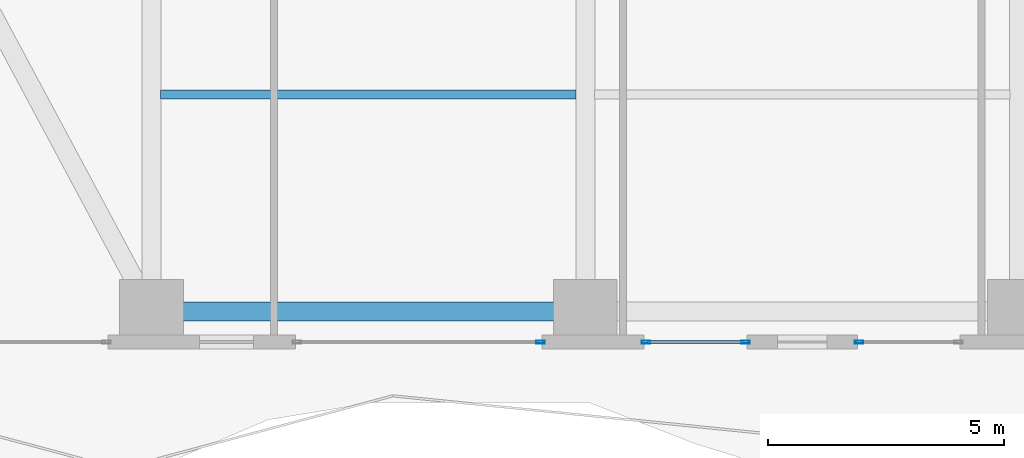
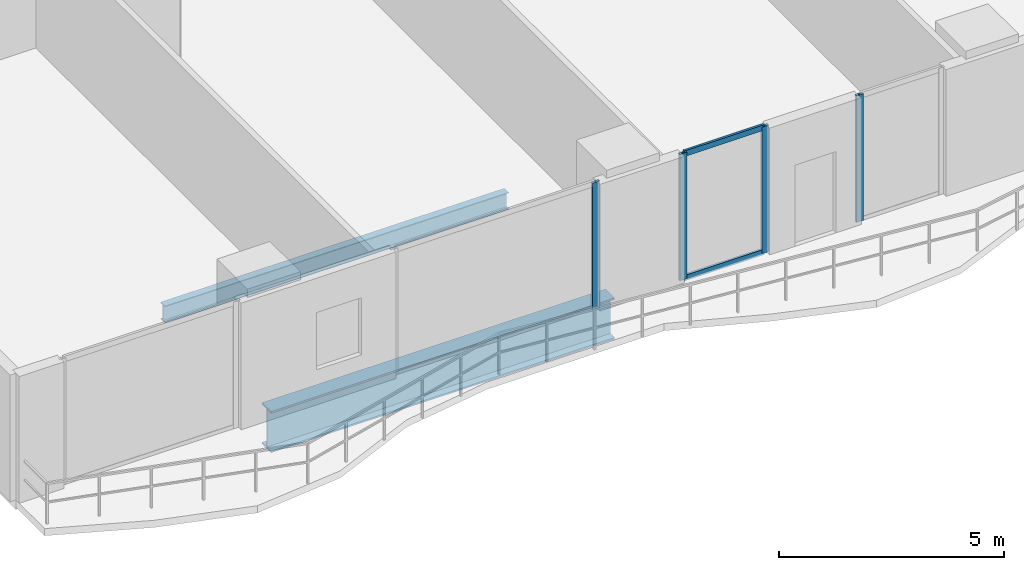
# One storey, part 4 of 29: 6 members, 2 beams, 3 elements without a shape of their own.
"""IFC4 building model written with IfcOpenShell, lengths in metres."""

from ifc_helpers import new_model, si_unit, direction, frame, origin, origin_2d, place, context, subcontext, project, spatial, hollow_rectangle, i_section, extrude, material, layer, layer_set, material_profile, profile_set, type_object, element, aggregate, save


model = new_model("IFC4")

# Units and contexts
model_context = context("Model", 3, precision=1e-05, world=origin(), true_north=direction((0.0, 1.0)))
body_context = subcontext(model_context, "Body", "Model", "MODEL_VIEW")
ifc_project = project(units=[si_unit("LENGTHUNIT", "METRE"), si_unit("AREAUNIT", "SQUARE_METRE"), si_unit("VOLUMEUNIT", "CUBIC_METRE"), si_unit("PLANEANGLEUNIT", "RADIAN"), si_unit("MASSUNIT", "GRAM", prefix="KILO")], contexts=[model_context])

# Site, building, storey
site_placement = place(None, origin())
site = spatial("IfcSite", under=ifc_project, at=site_placement, CompositionType="ELEMENT")
building_placement = place(site_placement, origin())
building = spatial("IfcBuilding", under=site, at=building_placement, Name="Zuhayl Quay Hotel", CompositionType="ELEMENT")
storey_placement = place(building_placement, frame((0.0, 0.0, 95.64990234375)))
storey = spatial("IfcBuildingStorey", under=building, at=storey_placement, Name="L23", CompositionType="ELEMENT", Elevation=95.64990234375)

# Beams
ifc_material_1 = material(Name="Steel ASTM A992 Grade 50", Category="steel")
ifc_material_profile_1 = material_profile(ifc_material_1, i_section(OverallWidth=0.18994140625, OverallDepth=0.45703125, WebThickness=0.009033203125, FlangeThickness=0.014404296875, at=origin_2d()), Name="W18X50")
ifc_profile_set_1 = profile_set([ifc_material_profile_1], Name="Steel ASTM A992 Grade 50")
beam_type_1 = type_object("IfcBeamType", Name="BM_J2_W18X50", PredefinedType="JOIST", material=ifc_profile_set_1)
beam_1_placement = place(storey_placement, frame((-13.60595703125, -10.14990234375, -0.48828125), z_axis=(1.0, 0.0, 0.0), x_axis=(0.0, 1.0, 0.0)))
element("IfcBeam", 1, at=beam_1_placement, inside=storey, type_object=beam_type_1, Name="L23 Floor Beam FJ_L23_5_1", PredefinedType="JOIST", context=body_context, shape_type="SweptSolid", body=[
    extrude(i_section(OverallWidth=0.18994140625, OverallDepth=0.45703125, WebThickness=0.009033203125, FlangeThickness=0.014404296875, at=origin_2d()), origin(), (0.0, 0.0, 1.0), 8.81201171875),
])
ifc_material_2 = material(Name="Steel ASTM A913 Grade 65", Category="steel")
ifc_material_profile_2 = material_profile(ifc_material_2, i_section(OverallWidth=0.404052734375, OverallDepth=1.117919921875, WebThickness=0.026123046875, FlangeThickness=0.044921875, at=origin_2d()), Name="W44X335")
ifc_profile_set_2 = profile_set([ifc_material_profile_2], Name="Steel ASTM A913 Grade 65")
beam_type_2 = type_object("IfcBeamType", Name="BM_TG1_W44X335", PredefinedType="BEAM", material=ifc_profile_set_2)
beam_2_placement = place(storey_placement, frame((-13.60009765625, -14.75, -0.81884765625), z_axis=(1.0, 0.0, 0.0), x_axis=(0.0, 1.0, 0.0)))
element("IfcBeam", 2, at=beam_2_placement, inside=storey, type_object=beam_type_2, Name="L23 Floor Beam RG_L23_01", PredefinedType="BEAM", context=body_context, shape_type="SweptSolid", body=[
    extrude(i_section(OverallWidth=0.404052734375, OverallDepth=1.117919921875, WebThickness=0.026123046875, FlangeThickness=0.044921875, at=origin_2d()), origin(), (0.0, 0.0, 1.0), 8.800048828125),
])

# Curtain wall, member
ifc_material_3 = material(Name="Anodised Aluminium 6063-T6", Category="aluminium")
ifc_layer = layer(ifc_material_3, 0.179931640625, Name="Anodised Aluminium 6063-T6", Category="aluminium")
ifc_layer_set = layer_set([ifc_layer], Name="Anodised Aluminium 6063-T6")
curtain_wall_type = type_object("IfcCurtainWallType", Name="CW_SYS_Z2", PredefinedType="USERDEFINED", material=ifc_layer_set)
curtain_wall_1_placement = place(storey_placement, origin())
curtain_wall_1 = element("IfcCurtainWall", 3, at=curtain_wall_1_placement, inside=storey, type_object=curtain_wall_type, Name="L23 Curtain Wall ENV_L23_S_CW3", ObjectType="UNITISED CURTAIN WALL", PredefinedType="USERDEFINED")
ifc_material_4 = material(Name="Black-anodised aluminium 6063-T6", Category="aluminium")
ifc_material_profile_3 = material_profile(ifc_material_4, hollow_rectangle(XDim=0.06494140625, YDim=0.179931640625, WallThickness=0.00341796875, at=origin_2d()), Name="ALU180X65")
ifc_profile_set_3 = profile_set([ifc_material_profile_3], Name="Black-anodised aluminium 6063-T6")
member_type_1 = type_object("IfcMemberType", Name="MB_CW_MUL_180", PredefinedType="MULLION", material=ifc_profile_set_3)
member_1_placement = place(storey_placement, frame((1.20751953125, -15.39990234375, 0.0), z_axis=(0.0, 0.0, 1.0), x_axis=(0.0, -1.0, 0.0)))
member_1 = element("IfcMember", 4, at=member_1_placement, type_object=member_type_1, Name="CW-Z2 mullion 2", PredefinedType="MULLION", context=body_context, shape_type="SweptSolid", body=[
    extrude(hollow_rectangle(XDim=0.06494140625, YDim=0.179931640625, WallThickness=0.00341796875, at=origin_2d()), origin(), (0.0, 0.0, 1.0), 3.43017578125),
])
aggregate(curtain_wall_1, [member_1])

# Curtain wall, members
curtain_wall_2_placement = place(storey_placement, origin())
curtain_wall_2 = element("IfcCurtainWall", 5, at=curtain_wall_2_placement, inside=storey, type_object=curtain_wall_type, Name="L23 Curtain Wall ENV_L23_S_CW4", ObjectType="UNITISED CURTAIN WALL", PredefinedType="USERDEFINED")
member_2_placement = place(storey_placement, frame((-1.20751953125, -15.39990234375, 0.0), z_axis=(0.0, 0.0, 1.0), x_axis=(0.0, -1.0, 0.0)))
member_2 = element("IfcMember", 6, at=member_2_placement, type_object=member_type_1, Name="CW-Z2 mullion 1", PredefinedType="MULLION", context=body_context, shape_type="SweptSolid", body=[
    extrude(hollow_rectangle(XDim=0.06494140625, YDim=0.179931640625, WallThickness=0.00341796875, at=origin_2d()), origin(), (0.0, 0.0, 1.0), 3.43017578125),
])
member_3_placement = place(storey_placement, frame((-3.3173828125, -15.39990234375, 0.0), z_axis=(0.0, 0.0, 1.0), x_axis=(0.0, -1.0, 0.0)))
member_3 = element("IfcMember", 7, at=member_3_placement, type_object=member_type_1, Name="CW-Z2 mullion 2", PredefinedType="MULLION", context=body_context, shape_type="SweptSolid", body=[
    extrude(hollow_rectangle(XDim=0.06494140625, YDim=0.179931640625, WallThickness=0.00341796875, at=origin_2d()), origin(), (0.0, 0.0, 1.0), 3.43017578125),
])

# Curtain wall, member
curtain_wall_3_placement = place(storey_placement, origin())
curtain_wall_3 = element("IfcCurtainWall", 8, at=curtain_wall_3_placement, inside=storey, type_object=curtain_wall_type, Name="L23 Curtain Wall ENV_L23_S_CW5", ObjectType="UNITISED CURTAIN WALL", PredefinedType="USERDEFINED")
member_4_placement = place(storey_placement, frame((-5.552490234375, -15.39990234375, 0.0), z_axis=(0.0, 0.0, 1.0), x_axis=(0.0, -1.0, 0.0)))
member_4 = element("IfcMember", 9, at=member_4_placement, type_object=member_type_1, Name="CW-Z2 mullion 1", PredefinedType="MULLION", context=body_context, shape_type="SweptSolid", body=[
    extrude(hollow_rectangle(XDim=0.06494140625, YDim=0.179931640625, WallThickness=0.00341796875, at=origin_2d()), origin(), (0.0, 0.0, 1.0), 3.43017578125),
])
aggregate(curtain_wall_3, [member_4])

# Member
ifc_material_profile_4 = material_profile(ifc_material_4, hollow_rectangle(XDim=0.06005859375, YDim=0.14990234375, WallThickness=0.00341796875, at=origin_2d()), Name="ALU150X60")
ifc_profile_set_4 = profile_set([ifc_material_profile_4], Name="Black-anodised aluminium 6063-T6")
member_type_2 = type_object("IfcMemberType", Name="MB_CW_TRN_150", PredefinedType="USERDEFINED", material=ifc_profile_set_4)
member_5_placement = place(storey_placement, frame((-1.239990234375, -15.39990234375, 0.030029296875), z_axis=(-1.0, 0.0, 0.0), x_axis=(0.0, -1.0, 0.0)))
member_5 = element("IfcMember", 10, at=member_5_placement, type_object=member_type_2, Name="CW-Z2 transom 1.1", ObjectType="TRANSOM", PredefinedType="USERDEFINED", context=body_context, shape_type="SweptSolid", body=[
    extrude(hollow_rectangle(XDim=0.06005859375, YDim=0.14990234375, WallThickness=0.00341796875, at=origin_2d()), origin(), (0.0, 0.0, 1.0), 2.044921875),
])

member_6_placement = place(storey_placement, frame((-1.239990234375, -15.39990234375, 3.400146484375), z_axis=(-1.0, 0.0, 0.0), x_axis=(0.0, -1.0, 0.0)))
member_6 = element("IfcMember", 11, at=member_6_placement, type_object=member_type_2, Name="CW-Z2 transom 1.2", ObjectType="TRANSOM", PredefinedType="USERDEFINED", context=body_context, shape_type="SweptSolid", body=[
    extrude(hollow_rectangle(XDim=0.06005859375, YDim=0.14990234375, WallThickness=0.00341796875, at=origin_2d()), origin(), (0.0, 0.0, 1.0), 2.044921875),
])

aggregate(curtain_wall_2, [member_2, member_3, member_5, member_6])

save(model, "model.ifc")
